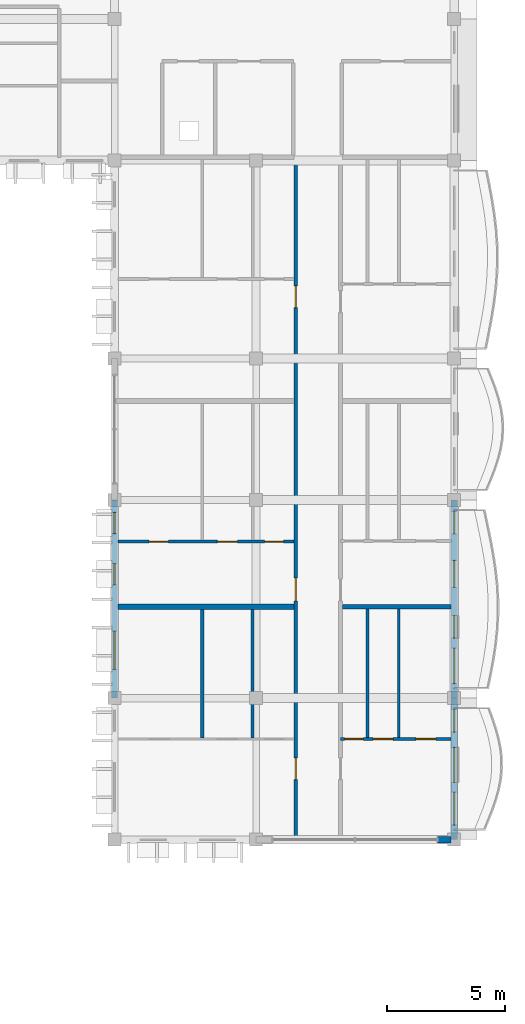
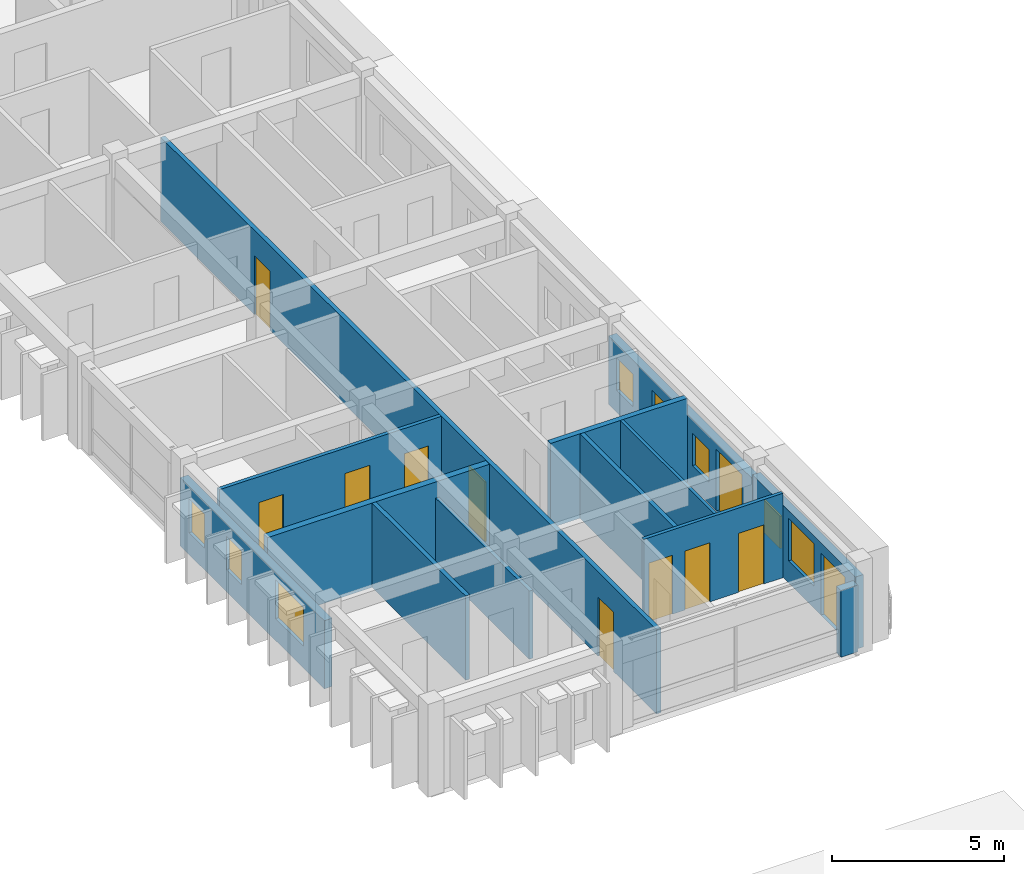
# One storey, part 33 of 54: 13 walls, 11 doors, 8 windows, 19 openings.
"""IFC4 building model written with IfcOpenShell, lengths in metres."""

from ifc_helpers import new_model, si_unit, direction, frame, frame_2d, origin, place, context, subcontext, project, spatial, rectangle, extrude, material, layer, layer_set, type_object, element, fill, save


model = new_model("IFC4")

# Units and contexts
model_context = context("Model", 3, precision=1e-05, world=origin(), true_north=direction((0.0, 1.0)))
body_context = subcontext(model_context, "Body", "Model", "MODEL_VIEW")
ifc_project = project(units=[si_unit("LENGTHUNIT", "METRE"), si_unit("AREAUNIT", "SQUARE_METRE"), si_unit("VOLUMEUNIT", "CUBIC_METRE"), si_unit("PLANEANGLEUNIT", "RADIAN"), si_unit("MASSUNIT", "GRAM", prefix="KILO"), si_unit("THERMODYNAMICTEMPERATUREUNIT", "KELVIN")], contexts=[model_context])

# Site, building, storey
site_placement = place(None, origin())
site = spatial("IfcSite", under=ifc_project, at=site_placement, CompositionType="ELEMENT")
building_placement = place(site_placement, origin())
building = spatial("IfcBuilding", under=site, at=building_placement, Name="Thalorik Housing Commons", CompositionType="ELEMENT")
storey_placement = place(building_placement, frame((0.0, 0.0, 31.199951171875)))
storey = spatial("IfcBuildingStorey", under=building, at=storey_placement, Name="L09", CompositionType="ELEMENT", Elevation=31.199951171875)

# Wall, openings, doors
ifc_material_1 = material(Name="Masonry fire-rated corridor wall", Category="masonry")
ifc_layer_1 = layer(ifc_material_1, 0.14990234375, Name="Masonry fire-rated corridor wall", Category="masonry")
ifc_layer_set_1 = layer_set([ifc_layer_1], Name="Masonry fire-rated corridor wall")
wall_type_1 = type_object("IfcWallType", Name="ARC-WAL-CORR-150", PredefinedType="PARTITIONING", material=ifc_layer_set_1)
wall_1_placement = place(storey_placement, frame((160.080078125, 80.4599609375, 0.0), z_axis=(0.0, 0.0, 1.0), x_axis=(0.0, 1.0, 0.0)))
wall_1 = element("IfcWall", 1, at=wall_1_placement, inside=storey, type_object=wall_type_1, Name="L09 Block B E Corridor Wall 1", PredefinedType="PARTITIONING", context=body_context, shape_type="SweptSolid", body=[
    extrude(rectangle(XDim=28.880126953125, YDim=0.14990234375, at=frame_2d((14.43994140625, 0.0))), origin(), (0.0, 0.0, 1.0), 3.0),
])
opening_1_placement = place(wall_1_placement, frame((2.484375, 0.0, 0.0)))
opening_1 = element("IfcOpeningElement", 2, at=opening_1_placement, cuts=wall_1, Name="Opening ID-1424", PredefinedType="OPENING", context=body_context, shape_type="SweptSolid", body=[
    extrude(rectangle(XDim=0.919921875, YDim=2.10009765625, at=frame_2d((0.4599609375, 1.050048828125))), frame((0.0, 0.0849609375, 0.0), z_axis=(0.0, -1.0, 0.0), x_axis=(1.0, 0.0, 0.0)), (0.0, 0.0, 1.0), 0.169921875),
])
opening_2_placement = place(wall_1_placement, frame((10.070068359375, 0.0, 0.0)))
opening_2 = element("IfcOpeningElement", 3, at=opening_2_placement, cuts=wall_1, Name="Opening ID-1425", PredefinedType="OPENING", context=body_context, shape_type="SweptSolid", body=[
    extrude(rectangle(XDim=0.9599609375, YDim=2.1201171875, at=frame_2d((0.47998046875, 1.06005859375))), frame((0.0, 0.0849609375, 0.0), z_axis=(0.0, -1.0, 0.0), x_axis=(1.0, 0.0, 0.0)), (0.0, 0.0, 1.0), 0.169921875),
])
opening_3_placement = place(wall_1_placement, frame((22.5, 0.0, 0.0)))
opening_3 = element("IfcOpeningElement", 4, at=opening_3_placement, cuts=wall_1, Name="Opening ID-1426", PredefinedType="OPENING", context=body_context, shape_type="SweptSolid", body=[
    extrude(rectangle(XDim=0.919921875, YDim=2.10009765625, at=frame_2d((0.4599609375, 1.050048828125))), frame((0.0, 0.0849609375, 0.0), z_axis=(0.0, -1.0, 0.0), x_axis=(1.0, 0.0, 0.0)), (0.0, 0.0, 1.0), 0.169921875),
])
ifc_material_2 = material(Name="Solid core hardwood timber", Category="wood")
door_type_1 = type_object("IfcDoorType", Name="ARC-DR-FD30-920", OperationType="NOTDEFINED", PredefinedType="DOOR", material=ifc_material_2)
door_1_placement = place(opening_1_placement, origin())
door_1 = element("IfcDoor", 5, at=door_1_placement, inside=storey, type_object=door_type_1, Name="L09 Flat BE-1A Entrance Door", OperationType="SINGLE_SWING_LEFT", OverallHeight=2.10009765625, OverallWidth=0.919921875, PredefinedType="DOOR", context=body_context, shape_type="SweptSolid", body=[
    extrude(rectangle(XDim=0.919921875, YDim=2.10009765625, at=frame_2d((0.4599609375, 1.050048828125))), frame((0.0, 0.02490234375, 0.0), z_axis=(0.0, -1.0, 0.0), x_axis=(1.0, 0.0, 0.0)), (0.0, 0.0, 1.0), 0.050048828125),
])
fill(opening_1, door_1)
door_2_placement = place(opening_3_placement, origin())
door_2 = element("IfcDoor", 6, at=door_2_placement, inside=storey, type_object=door_type_1, Name="L09 Flat BE-3A Entrance Door", OperationType="SINGLE_SWING_LEFT", OverallHeight=2.10009765625, OverallWidth=0.919921875, PredefinedType="DOOR", context=body_context, shape_type="SweptSolid", body=[
    extrude(rectangle(XDim=0.919921875, YDim=2.10009765625, at=frame_2d((0.4599609375, 1.050048828125))), frame((0.0, 0.02490234375, 0.0), z_axis=(0.0, -1.0, 0.0), x_axis=(1.0, 0.0, 0.0)), (0.0, 0.0, 1.0), 0.050048828125),
])
fill(opening_3, door_2)
door_type_2 = type_object("IfcDoorType", Name="ARC-DR-FD30-960", OperationType="NOTDEFINED", PredefinedType="DOOR", material=ifc_material_2)
door_3_placement = place(opening_2_placement, origin())
door_3 = element("IfcDoor", 7, at=door_3_placement, inside=storey, type_object=door_type_2, Name="L09 Flat BE-2A Entrance Door", OperationType="SINGLE_SWING_RIGHT", OverallHeight=2.1201171875, OverallWidth=0.9599609375, PredefinedType="DOOR", context=body_context, shape_type="SweptSolid", body=[
    extrude(rectangle(XDim=0.9599609375, YDim=2.1201171875, at=frame_2d((0.47998046875, 1.06005859375))), frame((0.0, 0.02490234375, 0.0), z_axis=(0.0, -1.0, 0.0), x_axis=(1.0, 0.0, 0.0)), (0.0, 0.0, 1.0), 0.050048828125),
])
fill(opening_2, door_3)

# Wall, openings, windows
ifc_material_3 = material(Name="White precast concrete C40/50", Category="concrete")
ifc_layer_2 = layer(ifc_material_3, 0.264892578125, Name="White precast concrete C40/50", Category="concrete")
ifc_layer_set_2 = layer_set([ifc_layer_2], Name="White precast concrete C40/50")
wall_type_2 = type_object("IfcWallType", Name="ARC-WAL-EXT-265", PredefinedType="STANDARD", material=ifc_layer_set_2)
wall_2_placement = place(storey_placement, frame((152.39990234375, 94.800048828125, 0.0), z_axis=(0.0, 0.0, 1.0), x_axis=(0.0, -1.0, 0.0)))
wall_2 = element("IfcWall", 8, at=wall_2_placement, inside=storey, type_object=wall_type_2, Name="L09 Exterior Wall WAL-EXT-L09-B-0735", PredefinedType="STANDARD", context=body_context, shape_type="SweptSolid", body=[
    extrude(rectangle(XDim=8.400146484375, YDim=0.264892578125, at=frame_2d((4.2001953125, 0.0))), origin(), (0.0, 0.0, 1.0), 2.425048828125),
])
opening_4_placement = place(wall_2_placement, frame((0.52490234375, 0.0, 0.780029296875)))
opening_4 = element("IfcOpeningElement", 9, at=opening_4_placement, cuts=wall_2, Name="Opening W-01", PredefinedType="OPENING", context=body_context, shape_type="SweptSolid", body=[
    extrude(rectangle(XDim=0.89990234375, YDim=1.199951171875, at=frame_2d((0.449951171875, 0.60009765625))), frame((0.0, 0.142578125, 0.0), z_axis=(0.0, -1.0, 0.0), x_axis=(1.0, 0.0, 0.0)), (0.0, 0.0, 1.0), 0.284912109375),
])
opening_5_placement = place(wall_2_placement, frame((2.68994140625, 0.0, 0.780029296875)))
opening_5 = element("IfcOpeningElement", 10, at=opening_5_placement, cuts=wall_2, Name="Opening W-01", PredefinedType="OPENING", context=body_context, shape_type="SweptSolid", body=[
    extrude(rectangle(XDim=0.89990234375, YDim=1.199951171875, at=frame_2d((0.449951171875, 0.60009765625))), frame((0.0, 0.142578125, 0.0), z_axis=(0.0, -1.0, 0.0), x_axis=(1.0, 0.0, 0.0)), (0.0, 0.0, 1.0), 0.284912109375),
])
opening_6_placement = place(wall_2_placement, frame((5.554931640625, 0.0, 0.780029296875)))
opening_6 = element("IfcOpeningElement", 11, at=opening_6_placement, cuts=wall_2, Name="Opening W-54", PredefinedType="OPENING", context=body_context, shape_type="SweptSolid", body=[
    extrude(rectangle(XDim=1.6201171875, YDim=1.3798828125, at=frame_2d((0.81005859375, 0.68994140625))), frame((0.0, 0.142578125, 0.0), z_axis=(0.0, -1.0, 0.0), x_axis=(1.0, 0.0, 0.0)), (0.0, 0.0, 1.0), 0.284912109375),
])
ifc_material_4 = material(Name="Anodised aluminium and solar-control low-E glass", Category="aluminium")
window_type_1 = type_object("IfcWindowType", Name="ARC-WIN-01", PartitioningType="SINGLE_PANEL", PredefinedType="WINDOW", material=ifc_material_4)
window_1_placement = place(opening_4_placement, origin())
window_1 = element("IfcWindow", 12, at=window_1_placement, inside=storey, type_object=window_type_1, Name="L09 Facade Window 1349", OverallHeight=1.199951171875, OverallWidth=0.89990234375, PartitioningType="SINGLE_PANEL", PredefinedType="WINDOW", context=body_context, shape_type="SweptSolid", body=[
    extrude(rectangle(XDim=0.89990234375, YDim=1.199951171875, at=frame_2d((0.449951171875, 0.60009765625))), frame((0.0, 0.030029296875, 0.0), z_axis=(0.0, -1.0, 0.0), x_axis=(1.0, 0.0, 0.0)), (0.0, 0.0, 1.0), 0.06005859375),
])
fill(opening_4, window_1)
window_2_placement = place(opening_5_placement, origin())
window_2 = element("IfcWindow", 13, at=window_2_placement, inside=storey, type_object=window_type_1, Name="L09 Facade Window 1350", OverallHeight=1.199951171875, OverallWidth=0.89990234375, PartitioningType="SINGLE_PANEL", PredefinedType="WINDOW", context=body_context, shape_type="SweptSolid", body=[
    extrude(rectangle(XDim=0.89990234375, YDim=1.199951171875, at=frame_2d((0.449951171875, 0.60009765625))), frame((0.0, 0.030029296875, 0.0), z_axis=(0.0, -1.0, 0.0), x_axis=(1.0, 0.0, 0.0)), (0.0, 0.0, 1.0), 0.06005859375),
])
fill(opening_5, window_2)
window_type_2 = type_object("IfcWindowType", Name="ARC-WIN-54", PartitioningType="DOUBLE_PANEL_VERTICAL", PredefinedType="WINDOW", material=ifc_material_4)
window_3_placement = place(opening_6_placement, origin())
window_3 = element("IfcWindow", 14, at=window_3_placement, inside=storey, type_object=window_type_2, Name="L09 Facade Window 1351", OverallHeight=1.3798828125, OverallWidth=1.6201171875, PartitioningType="DOUBLE_PANEL_VERTICAL", PredefinedType="WINDOW", context=body_context, shape_type="SweptSolid", body=[
    extrude(rectangle(XDim=1.6201171875, YDim=1.3798828125, at=frame_2d((0.81005859375, 0.68994140625))), frame((0.0, 0.030029296875, 0.0), z_axis=(0.0, -1.0, 0.0), x_axis=(1.0, 0.0, 0.0)), (0.0, 0.0, 1.0), 0.06005859375),
])
fill(opening_6, window_3)

# Wall
wall_3_placement = place(storey_placement, frame((166.10009765625, 80.39990234375, 0.0), z_axis=(0.0, 0.0, 1.0), x_axis=(1.0, 0.0, 0.0)))
element("IfcWall", 15, at=wall_3_placement, inside=storey, type_object=wall_type_2, Name="L09 Exterior Wall WAL-PIERR-L09-B-0738", PredefinedType="STANDARD", context=body_context, shape_type="SweptSolid", body=[
    extrude(rectangle(XDim=0.5654296875, YDim=0.264892578125, at=frame_2d((0.28271484375, 0.0))), origin(), (0.0, 0.0, 1.0), 2.375),
])

# Wall, openings, door, windows
wall_4_placement = place(storey_placement, frame((166.800048828125, 80.39990234375, 0.0), z_axis=(0.0, 0.0, 1.0), x_axis=(0.0, 1.0, 0.0)))
wall_4 = element("IfcWall", 16, at=wall_4_placement, inside=storey, type_object=wall_type_2, Name="L09 Exterior Wall WAL-EXT-L09-B-0739", PredefinedType="STANDARD", context=body_context, shape_type="SweptSolid", body=[
    extrude(rectangle(XDim=6.0, YDim=0.264892578125, at=frame_2d((3.0, 0.0))), origin(), (0.0, 0.0, 1.0), 2.574951171875),
])
opening_7_placement = place(wall_4_placement, frame((0.6201171875, 0.0, 0.0)))
opening_7 = element("IfcOpeningElement", 17, at=opening_7_placement, cuts=wall_4, Name="Opening ED-0246", PredefinedType="OPENING", context=body_context, shape_type="SweptSolid", body=[
    extrude(rectangle(XDim=1.39990234375, YDim=2.199951171875, at=frame_2d((0.699951171875, 1.10009765625))), frame((0.0, 0.142578125, 0.0), z_axis=(0.0, -1.0, 0.0), x_axis=(1.0, 0.0, 0.0)), (0.0, 0.0, 1.0), 0.284912109375),
])
opening_8_placement = place(wall_4_placement, frame((2.431884765625, 0.0, 0.780029296875)))
opening_8 = element("IfcOpeningElement", 18, at=opening_8_placement, cuts=wall_4, Name="Opening W-51", PredefinedType="OPENING", context=body_context, shape_type="SweptSolid", body=[
    extrude(rectangle(XDim=1.47998046875, YDim=1.52001953125, at=frame_2d((0.739990234375, 0.760009765625))), frame((0.0, 0.142578125, 0.0), z_axis=(0.0, -1.0, 0.0), x_axis=(1.0, 0.0, 0.0)), (0.0, 0.0, 1.0), 0.284912109375),
])
opening_9_placement = place(wall_4_placement, frame((4.56689453125, 0.0, 0.780029296875)))
opening_9 = element("IfcOpeningElement", 19, at=opening_9_placement, cuts=wall_4, Name="Opening W-43", PredefinedType="OPENING", context=body_context, shape_type="SweptSolid", body=[
    extrude(rectangle(XDim=0.949951171875, YDim=1.14990234375, at=frame_2d((0.47509765625, 0.574951171875))), frame((0.0, 0.142578125, 0.0), z_axis=(0.0, -1.0, 0.0), x_axis=(1.0, 0.0, 0.0)), (0.0, 0.0, 1.0), 0.284912109375),
])
ifc_material_5 = material(Name="Anodised aluminium and laminated safety glass", Category="aluminium")
door_type_3 = type_object("IfcDoorType", Name="ARC-DR-BAL-1400", OperationType="NOTDEFINED", PredefinedType="DOOR", material=ifc_material_5)
door_4_placement = place(opening_7_placement, frame((1.39990234375, 0.0, 0.0), z_axis=(0.0, 0.0, 1.0), x_axis=(-1.0, 0.0, 0.0)))
door_4 = element("IfcDoor", 20, at=door_4_placement, inside=storey, type_object=door_type_3, Name="L09 Block B Balcony Glazed Door", OperationType="SLIDING_TO_LEFT", OverallHeight=2.199951171875, OverallWidth=1.39990234375, PredefinedType="DOOR", context=body_context, shape_type="SweptSolid", body=[
    extrude(rectangle(XDim=1.39990234375, YDim=2.199951171875, at=frame_2d((0.699951171875, 1.10009765625))), frame((0.0, 0.02490234375, 0.0), z_axis=(0.0, -1.0, 0.0), x_axis=(1.0, 0.0, 0.0)), (0.0, 0.0, 1.0), 0.050048828125),
])
fill(opening_7, door_4)
window_type_3 = type_object("IfcWindowType", Name="ARC-WIN-43", PartitioningType="SINGLE_PANEL", PredefinedType="WINDOW", material=ifc_material_4)
window_4_placement = place(opening_9_placement, origin())
window_4 = element("IfcWindow", 21, at=window_4_placement, inside=storey, type_object=window_type_3, Name="L09 Facade Window 1357", OverallHeight=1.14990234375, OverallWidth=0.949951171875, PartitioningType="SINGLE_PANEL", PredefinedType="WINDOW", context=body_context, shape_type="SweptSolid", body=[
    extrude(rectangle(XDim=0.949951171875, YDim=1.14990234375, at=frame_2d((0.47509765625, 0.574951171875))), frame((0.0, 0.030029296875, 0.0), z_axis=(0.0, -1.0, 0.0), x_axis=(1.0, 0.0, 0.0)), (0.0, 0.0, 1.0), 0.06005859375),
])
fill(opening_9, window_4)
window_type_4 = type_object("IfcWindowType", Name="ARC-WIN-51", PartitioningType="SINGLE_PANEL", PredefinedType="WINDOW", material=ifc_material_4)
window_5_placement = place(opening_8_placement, origin())
window_5 = element("IfcWindow", 22, at=window_5_placement, inside=storey, type_object=window_type_4, Name="L09 Facade Window 1356", OverallHeight=1.52001953125, OverallWidth=1.47998046875, PartitioningType="SINGLE_PANEL", PredefinedType="WINDOW", context=body_context, shape_type="SweptSolid", body=[
    extrude(rectangle(XDim=1.47998046875, YDim=1.52001953125, at=frame_2d((0.739990234375, 0.760009765625))), frame((0.0, 0.030029296875, 0.0), z_axis=(0.0, -1.0, 0.0), x_axis=(1.0, 0.0, 0.0)), (0.0, 0.0, 1.0), 0.06005859375),
])
fill(opening_8, window_5)

wall_5_placement = place(storey_placement, frame((166.800048828125, 86.39990234375, 0.0), z_axis=(0.0, 0.0, 1.0), x_axis=(0.0, 1.0, 0.0)))
wall_5 = element("IfcWall", 23, at=wall_5_placement, inside=storey, type_object=wall_type_2, Name="L09 Exterior Wall WAL-EXT-L09-B-0740", PredefinedType="STANDARD", context=body_context, shape_type="SweptSolid", body=[
    extrude(rectangle(XDim=8.400146484375, YDim=0.264892578125, at=frame_2d((4.2001953125, 0.0))), origin(), (0.0, 0.0, 1.0), 2.425048828125),
])
opening_10_placement = place(wall_5_placement, frame((0.6201171875, 0.0, 0.0)))
opening_10 = element("IfcOpeningElement", 24, at=opening_10_placement, cuts=wall_5, Name="Opening ED-0247", PredefinedType="OPENING", context=body_context, shape_type="SweptSolid", body=[
    extrude(rectangle(XDim=1.5, YDim=2.199951171875, at=frame_2d((0.75, 1.10009765625))), frame((0.0, 0.142578125, 0.0), z_axis=(0.0, -1.0, 0.0), x_axis=(1.0, 0.0, 0.0)), (0.0, 0.0, 1.0), 0.284912109375),
])
opening_11_placement = place(wall_5_placement, frame((2.550048828125, 0.0, 0.780029296875)))
opening_11 = element("IfcOpeningElement", 25, at=opening_11_placement, cuts=wall_5, Name="Opening W-43", PredefinedType="OPENING", context=body_context, shape_type="SweptSolid", body=[
    extrude(rectangle(XDim=0.949951171875, YDim=1.14990234375, at=frame_2d((0.47509765625, 0.574951171875))), frame((0.0, 0.142578125, 0.0), z_axis=(0.0, -1.0, 0.0), x_axis=(1.0, 0.0, 0.0)), (0.0, 0.0, 1.0), 0.284912109375),
])
opening_12_placement = place(wall_5_placement, frame((4.69775390625, 0.0, 0.780029296875)))
opening_12 = element("IfcOpeningElement", 26, at=opening_12_placement, cuts=wall_5, Name="Opening W-45", PredefinedType="OPENING", context=body_context, shape_type="SweptSolid", body=[
    extrude(rectangle(XDim=1.14990234375, YDim=1.25, at=frame_2d((0.574951171875, 0.625))), frame((0.0, 0.142578125, 0.0), z_axis=(0.0, -1.0, 0.0), x_axis=(1.0, 0.0, 0.0)), (0.0, 0.0, 1.0), 0.284912109375),
])
opening_13_placement = place(wall_5_placement, frame((6.962890625, 0.0, 0.780029296875)))
opening_13 = element("IfcOpeningElement", 27, at=opening_13_placement, cuts=wall_5, Name="Opening W-43", PredefinedType="OPENING", context=body_context, shape_type="SweptSolid", body=[
    extrude(rectangle(XDim=0.949951171875, YDim=1.14990234375, at=frame_2d((0.47509765625, 0.574951171875))), frame((0.0, 0.142578125, 0.0), z_axis=(0.0, -1.0, 0.0), x_axis=(1.0, 0.0, 0.0)), (0.0, 0.0, 1.0), 0.284912109375),
])
door_type_4 = type_object("IfcDoorType", Name="ARC-DR-BAL-1500", OperationType="NOTDEFINED", PredefinedType="DOOR", material=ifc_material_5)
door_5_placement = place(opening_10_placement, frame((1.5, 0.0, 0.0), z_axis=(0.0, 0.0, 1.0), x_axis=(-1.0, 0.0, 0.0)))
door_5 = element("IfcDoor", 28, at=door_5_placement, inside=storey, type_object=door_type_4, Name="L09 Block B Balcony Glazed Door", OperationType="SLIDING_TO_RIGHT", OverallHeight=2.199951171875, OverallWidth=1.5, PredefinedType="DOOR", context=body_context, shape_type="SweptSolid", body=[
    extrude(rectangle(XDim=1.5, YDim=2.199951171875, at=frame_2d((0.75, 1.10009765625))), frame((0.0, 0.02490234375, 0.0), z_axis=(0.0, -1.0, 0.0), x_axis=(1.0, 0.0, 0.0)), (0.0, 0.0, 1.0), 0.050048828125),
])
fill(opening_10, door_5)
window_6_placement = place(opening_11_placement, origin())
window_6 = element("IfcWindow", 29, at=window_6_placement, inside=storey, type_object=window_type_3, Name="L09 Facade Window 1358", OverallHeight=1.14990234375, OverallWidth=0.949951171875, PartitioningType="SINGLE_PANEL", PredefinedType="WINDOW", context=body_context, shape_type="SweptSolid", body=[
    extrude(rectangle(XDim=0.949951171875, YDim=1.14990234375, at=frame_2d((0.47509765625, 0.574951171875))), frame((0.0, 0.030029296875, 0.0), z_axis=(0.0, -1.0, 0.0), x_axis=(1.0, 0.0, 0.0)), (0.0, 0.0, 1.0), 0.06005859375),
])
fill(opening_11, window_6)
window_7_placement = place(opening_13_placement, origin())
window_7 = element("IfcWindow", 30, at=window_7_placement, inside=storey, type_object=window_type_3, Name="L09 Facade Window 1360", OverallHeight=1.14990234375, OverallWidth=0.949951171875, PartitioningType="SINGLE_PANEL", PredefinedType="WINDOW", context=body_context, shape_type="SweptSolid", body=[
    extrude(rectangle(XDim=0.949951171875, YDim=1.14990234375, at=frame_2d((0.47509765625, 0.574951171875))), frame((0.0, 0.030029296875, 0.0), z_axis=(0.0, -1.0, 0.0), x_axis=(1.0, 0.0, 0.0)), (0.0, 0.0, 1.0), 0.06005859375),
])
fill(opening_13, window_7)
window_type_5 = type_object("IfcWindowType", Name="ARC-WIN-45", PartitioningType="SINGLE_PANEL", PredefinedType="WINDOW", material=ifc_material_4)
window_8_placement = place(opening_12_placement, origin())
window_8 = element("IfcWindow", 31, at=window_8_placement, inside=storey, type_object=window_type_5, Name="L09 Facade Window 1359", OverallHeight=1.25, OverallWidth=1.14990234375, PartitioningType="SINGLE_PANEL", PredefinedType="WINDOW", context=body_context, shape_type="SweptSolid", body=[
    extrude(rectangle(XDim=1.14990234375, YDim=1.25, at=frame_2d((0.574951171875, 0.625))), frame((0.0, 0.030029296875, 0.0), z_axis=(0.0, -1.0, 0.0), x_axis=(1.0, 0.0, 0.0)), (0.0, 0.0, 1.0), 0.06005859375),
])
fill(opening_12, window_8)

# Wall
ifc_material_6 = material(Name="Gypsum light stud partition", Category="masonry")
ifc_layer_3 = layer(ifc_material_6, 0.10009765625, Name="Gypsum light stud partition", Category="masonry")
ifc_layer_set_3 = layer_set([ifc_layer_3], Name="Gypsum light stud partition")
wall_type_3 = type_object("IfcWallType", Name="ARC-WAL-PART-100", PredefinedType="PARTITIONING", material=ifc_layer_set_3)
wall_6_placement = place(storey_placement, frame((164.455078125, 84.733154296875, 0.0), z_axis=(0.0, 0.0, 1.0), x_axis=(0.0, 1.0, 0.0)))
element("IfcWall", 32, at=wall_6_placement, inside=storey, type_object=wall_type_3, Name="L09 Unit 1B Bedroom Partition", PredefinedType="PARTITIONING", context=body_context, shape_type="SweptSolid", body=[
    extrude(rectangle(XDim=5.452392578125, YDim=0.10009765625, at=frame_2d((2.72607421875, 0.0))), origin(), (0.0, 0.0, 1.0), 3.0),
])

# Wall, openings, doors
ifc_material_7 = material(Name="Gypsum moisture-resistant partition", Category="masonry")
ifc_layer_4 = layer(ifc_material_7, 0.114990234375, Name="Gypsum moisture-resistant partition", Category="masonry")
ifc_layer_set_4 = layer_set([ifc_layer_4], Name="Gypsum moisture-resistant partition")
wall_type_4 = type_object("IfcWallType", Name="ARC-WAL-PART-115", PredefinedType="PARTITIONING", material=ifc_layer_set_4)
wall_7_placement = place(storey_placement, frame((161.97998046875, 84.673583984375, 0.0), z_axis=(0.0, 0.0, 1.0), x_axis=(1.0, 0.0, 0.0)))
wall_7 = element("IfcWall", 33, at=wall_7_placement, inside=storey, type_object=wall_type_4, Name="L09 Unit 1B Spine Partition", PredefinedType="PARTITIONING", context=body_context, shape_type="SweptSolid", body=[
    extrude(rectangle(XDim=4.685546875, YDim=0.114990234375, at=frame_2d((2.3427734375, 0.0))), origin(), (0.0, 0.0, 1.0), 3.0),
])
opening_14_placement = place(wall_7_placement, frame((0.171142578125, 0.0, 0.0)))
opening_14 = element("IfcOpeningElement", 34, at=opening_14_placement, cuts=wall_7, Name="Opening ID-1409", PredefinedType="OPENING", context=body_context, shape_type="SweptSolid", body=[
    extrude(rectangle(XDim=0.800048828125, YDim=2.10009765625, at=frame_2d((0.39990234375, 1.050048828125))), frame((0.0, 0.0673828125, 0.0), z_axis=(0.0, -1.0, 0.0), x_axis=(1.0, 0.0, 0.0)), (0.0, 0.0, 1.0), 0.135009765625),
])
opening_15_placement = place(wall_7_placement, frame((1.3837890625, 0.0, 0.0)))
opening_15 = element("IfcOpeningElement", 35, at=opening_15_placement, cuts=wall_7, Name="Opening ID-1410", PredefinedType="OPENING", context=body_context, shape_type="SweptSolid", body=[
    extrude(rectangle(XDim=0.85009765625, YDim=2.10009765625, at=frame_2d((0.425048828125, 1.050048828125))), frame((0.0, 0.0673828125, 0.0), z_axis=(0.0, -1.0, 0.0), x_axis=(1.0, 0.0, 0.0)), (0.0, 0.0, 1.0), 0.135009765625),
])
opening_16_placement = place(wall_7_placement, frame((3.192626953125, 0.0, 0.0)))
opening_16 = element("IfcOpeningElement", 36, at=opening_16_placement, cuts=wall_7, Name="Opening ID-1411", PredefinedType="OPENING", context=body_context, shape_type="SweptSolid", body=[
    extrude(rectangle(XDim=0.85009765625, YDim=2.10009765625, at=frame_2d((0.425048828125, 1.050048828125))), frame((0.0, 0.0673828125, 0.0), z_axis=(0.0, -1.0, 0.0), x_axis=(1.0, 0.0, 0.0)), (0.0, 0.0, 1.0), 0.135009765625),
])
ifc_material_8 = material(Name="Moisture-resistant timber", Category="wood")
door_type_5 = type_object("IfcDoorType", Name="ARC-DR-INT-800", OperationType="NOTDEFINED", PredefinedType="DOOR", material=ifc_material_8)
door_6_placement = place(opening_14_placement, origin())
door_6 = element("IfcDoor", 37, at=door_6_placement, inside=storey, type_object=door_type_5, Name="L09 Flat Bathroom Door", OperationType="SINGLE_SWING_RIGHT", OverallHeight=2.10009765625, OverallWidth=0.800048828125, PredefinedType="DOOR", context=body_context, shape_type="SweptSolid", body=[
    extrude(rectangle(XDim=0.800048828125, YDim=2.10009765625, at=frame_2d((0.39990234375, 1.050048828125))), frame((0.0, 0.02490234375, 0.0), z_axis=(0.0, -1.0, 0.0), x_axis=(1.0, 0.0, 0.0)), (0.0, 0.0, 1.0), 0.050048828125),
])
fill(opening_14, door_6)
ifc_material_9 = material(Name="Engineered oak timber", Category="wood")
door_type_6 = type_object("IfcDoorType", Name="ARC-DR-INT-850", OperationType="NOTDEFINED", PredefinedType="DOOR", material=ifc_material_9)
door_7_placement = place(opening_15_placement, origin())
door_7 = element("IfcDoor", 38, at=door_7_placement, inside=storey, type_object=door_type_6, Name="L09 Galley Kitchen Door", OperationType="SINGLE_SWING_LEFT", OverallHeight=2.10009765625, OverallWidth=0.85009765625, PredefinedType="DOOR", context=body_context, shape_type="SweptSolid", body=[
    extrude(rectangle(XDim=0.85009765625, YDim=2.10009765625, at=frame_2d((0.425048828125, 1.050048828125))), frame((0.0, 0.02490234375, 0.0), z_axis=(0.0, -1.0, 0.0), x_axis=(1.0, 0.0, 0.0)), (0.0, 0.0, 1.0), 0.050048828125),
])
fill(opening_15, door_7)
door_8_placement = place(opening_16_placement, origin())
door_8 = element("IfcDoor", 39, at=door_8_placement, inside=storey, type_object=door_type_6, Name="L09 Double Bedroom Door", OperationType="SINGLE_SWING_RIGHT", OverallHeight=2.10009765625, OverallWidth=0.85009765625, PredefinedType="DOOR", context=body_context, shape_type="SweptSolid", body=[
    extrude(rectangle(XDim=0.85009765625, YDim=2.10009765625, at=frame_2d((0.425048828125, 1.050048828125))), frame((0.0, 0.02490234375, 0.0), z_axis=(0.0, -1.0, 0.0), x_axis=(1.0, 0.0, 0.0)), (0.0, 0.0, 1.0), 0.050048828125),
])
fill(opening_16, door_8)

# Wall
ifc_material_10 = material(Name="Gypsum acoustic stud partition", Category="masonry")
ifc_layer_5 = layer(ifc_material_10, 0.125, Name="Gypsum acoustic stud partition", Category="masonry")
ifc_layer_set_5 = layer_set([ifc_layer_5], Name="Gypsum acoustic stud partition")
wall_type_5 = type_object("IfcWallType", Name="ARC-WAL-PART-125", PredefinedType="PARTITIONING", material=ifc_layer_set_5)
wall_8_placement = place(storey_placement, frame((158.251220703125, 84.721923828125, 0.0), z_axis=(0.0, 0.0, 1.0), x_axis=(0.0, 1.0, 0.0)))
element("IfcWall", 40, at=wall_8_placement, inside=storey, type_object=wall_type_5, Name="L09 Unit 1 Wet Wall", PredefinedType="PARTITIONING", context=body_context, shape_type="SweptSolid", body=[
    extrude(rectangle(XDim=5.446044921875, YDim=0.125, at=frame_2d((2.72314453125, 0.0))), origin(), (0.0, 0.0, 1.0), 2.425048828125),
])

# Wall, openings, doors
wall_9_placement = place(storey_placement, frame((152.534423828125, 93.0400390625, 0.0), z_axis=(0.0, 0.0, 1.0), x_axis=(1.0, 0.0, 0.0)))
wall_9 = element("IfcWall", 41, at=wall_9_placement, inside=storey, type_object=wall_type_5, Name="L09 Unit 2 Spine Partition", PredefinedType="PARTITIONING", context=body_context, shape_type="SweptSolid", body=[
    extrude(rectangle(XDim=7.468505859375, YDim=0.125, at=frame_2d((3.734375, 0.0))), origin(), (0.0, 0.0, 1.0), 3.0),
])
opening_17_placement = place(wall_9_placement, frame((1.329345703125, 0.0, 0.0)))
opening_17 = element("IfcOpeningElement", 42, at=opening_17_placement, cuts=wall_9, Name="Opening ID-1412", PredefinedType="OPENING", context=body_context, shape_type="SweptSolid", body=[
    extrude(rectangle(XDim=0.820068359375, YDim=2.080078125, at=frame_2d((0.41015625, 1.0400390625))), frame((0.0, 0.072509765625, 0.0), z_axis=(0.0, -1.0, 0.0), x_axis=(1.0, 0.0, 0.0)), (0.0, 0.0, 1.0), 0.14501953125),
])
opening_18_placement = place(wall_9_placement, frame((4.224853515625, 0.0, 0.0)))
opening_18 = element("IfcOpeningElement", 43, at=opening_18_placement, cuts=wall_9, Name="Opening ID-1413", PredefinedType="OPENING", context=body_context, shape_type="SweptSolid", body=[
    extrude(rectangle(XDim=0.85009765625, YDim=2.10009765625, at=frame_2d((0.425048828125, 1.050048828125))), frame((0.0, 0.072509765625, 0.0), z_axis=(0.0, -1.0, 0.0), x_axis=(1.0, 0.0, 0.0)), (0.0, 0.0, 1.0), 0.14501953125),
])
opening_19_placement = place(wall_9_placement, frame((6.231201171875, 0.0, 0.0)))
opening_19 = element("IfcOpeningElement", 44, at=opening_19_placement, cuts=wall_9, Name="Opening ID-1414", PredefinedType="OPENING", context=body_context, shape_type="SweptSolid", body=[
    extrude(rectangle(XDim=0.800048828125, YDim=2.10009765625, at=frame_2d((0.39990234375, 1.050048828125))), frame((0.0, 0.072509765625, 0.0), z_axis=(0.0, -1.0, 0.0), x_axis=(1.0, 0.0, 0.0)), (0.0, 0.0, 1.0), 0.14501953125),
])
door_9_placement = place(opening_19_placement, origin())
door_9 = element("IfcDoor", 45, at=door_9_placement, inside=storey, type_object=door_type_5, Name="L09 Accessible Bathroom Door", OperationType="SINGLE_SWING_LEFT", OverallHeight=2.10009765625, OverallWidth=0.800048828125, PredefinedType="DOOR", context=body_context, shape_type="SweptSolid", body=[
    extrude(rectangle(XDim=0.800048828125, YDim=2.10009765625, at=frame_2d((0.39990234375, 1.050048828125))), frame((0.0, 0.02490234375, 0.0), z_axis=(0.0, -1.0, 0.0), x_axis=(1.0, 0.0, 0.0)), (0.0, 0.0, 1.0), 0.050048828125),
])
fill(opening_19, door_9)
door_type_7 = type_object("IfcDoorType", Name="ARC-DR-INT-820", OperationType="NOTDEFINED", PredefinedType="DOOR", material=ifc_material_9)
door_10_placement = place(opening_17_placement, origin())
door_10 = element("IfcDoor", 46, at=door_10_placement, inside=storey, type_object=door_type_7, Name="L09 Master Bedroom Door", OperationType="SINGLE_SWING_LEFT", OverallHeight=2.080078125, OverallWidth=0.820068359375, PredefinedType="DOOR", context=body_context, shape_type="SweptSolid", body=[
    extrude(rectangle(XDim=0.820068359375, YDim=2.080078125, at=frame_2d((0.41015625, 1.0400390625))), frame((0.0, 0.02490234375, 0.0), z_axis=(0.0, -1.0, 0.0), x_axis=(1.0, 0.0, 0.0)), (0.0, 0.0, 1.0), 0.050048828125),
])
fill(opening_17, door_10)
door_11_placement = place(opening_18_placement, origin())
door_11 = element("IfcDoor", 47, at=door_11_placement, inside=storey, type_object=door_type_6, Name="L09 Eat-In Kitchen Door", OperationType="SINGLE_SWING_RIGHT", OverallHeight=2.10009765625, OverallWidth=0.85009765625, PredefinedType="DOOR", context=body_context, shape_type="SweptSolid", body=[
    extrude(rectangle(XDim=0.85009765625, YDim=2.10009765625, at=frame_2d((0.425048828125, 1.050048828125))), frame((0.0, 0.02490234375, 0.0), z_axis=(0.0, -1.0, 0.0), x_axis=(1.0, 0.0, 0.0)), (0.0, 0.0, 1.0), 0.050048828125),
])
fill(opening_18, door_11)

# Walls
ifc_material_11 = material(Name="Ceramic masonry partition wall", Category="masonry")
ifc_layer_6 = layer(ifc_material_11, 0.139892578125, Name="Ceramic masonry partition wall", Category="masonry")
ifc_layer_set_6 = layer_set([ifc_layer_6], Name="Ceramic masonry partition wall")
wall_type_6 = type_object("IfcWallType", Name="ARC-WAL-PART-140", PredefinedType="PARTITIONING", material=ifc_layer_set_6)
wall_10_placement = place(storey_placement, frame((156.11767578125, 84.721923828125, 0.0), z_axis=(0.0, 0.0, 1.0), x_axis=(0.0, 1.0, 0.0)))
element("IfcWall", 48, at=wall_10_placement, inside=storey, type_object=wall_type_6, Name="L09 Unit 1 Bedroom Partition", PredefinedType="PARTITIONING", context=body_context, shape_type="SweptSolid", body=[
    extrude(rectangle(XDim=5.446044921875, YDim=0.139892578125, at=frame_2d((2.72314453125, 0.0))), origin(), (0.0, 0.0, 1.0), 3.0),
])
wall_11_placement = place(storey_placement, frame((163.122314453125, 84.733154296875, 0.0), z_axis=(0.0, 0.0, 1.0), x_axis=(0.0, 1.0, 0.0)))
element("IfcWall", 49, at=wall_11_placement, inside=storey, type_object=wall_type_6, Name="L09 Unit 1B Wet Wall", PredefinedType="PARTITIONING", context=body_context, shape_type="SweptSolid", body=[
    extrude(rectangle(XDim=5.452392578125, YDim=0.139892578125, at=frame_2d((2.72607421875, 0.0))), origin(), (0.0, 0.0, 1.0), 3.0),
])
ifc_material_12 = material(Name="Masonry acoustic blockwork wall", Category="masonry")
ifc_layer_7 = layer(ifc_material_12, 0.18505859375, Name="Masonry acoustic blockwork wall", Category="masonry")
ifc_layer_set_7 = layer_set([ifc_layer_7], Name="Masonry acoustic blockwork wall")
wall_type_7 = type_object("IfcWallType", Name="ARC-WAL-PARTY-185", PredefinedType="PARTITIONING", material=ifc_layer_set_7)
wall_12_placement = place(storey_placement, frame((162.064453125, 90.280029296875, 0.0), z_axis=(0.0, 0.0, 1.0), x_axis=(1.0, 0.0, 0.0)))
element("IfcWall", 50, at=wall_12_placement, inside=storey, type_object=wall_type_7, Name="L09 Inter-Tenancy Wall 1B", PredefinedType="PARTITIONING", context=body_context, shape_type="SweptSolid", body=[
    extrude(rectangle(XDim=4.60107421875, YDim=0.18505859375, at=frame_2d((2.300537109375, 0.0))), origin(), (0.0, 0.0, 1.0), 3.0),
])
ifc_material_13 = material(Name="Precast concrete C40/50 acoustic wall", Category="concrete")
ifc_layer_8 = layer(ifc_material_13, 0.219970703125, Name="Precast concrete C40/50 acoustic wall", Category="concrete")
ifc_layer_set_8 = layer_set([ifc_layer_8], Name="Precast concrete C40/50 acoustic wall")
wall_type_8 = type_object("IfcWallType", Name="ARC-WAL-PARTY-220", PredefinedType="PARTITIONING", material=ifc_layer_set_8)
wall_13_placement = place(storey_placement, frame((152.534423828125, 90.280029296875, 0.0), z_axis=(0.0, 0.0, 1.0), x_axis=(1.0, 0.0, 0.0)))
element("IfcWall", 51, at=wall_13_placement, inside=storey, type_object=wall_type_8, Name="L09 Inter-Tenancy Wall 1A", PredefinedType="PARTITIONING", context=body_context, shape_type="SweptSolid", body=[
    extrude(rectangle(XDim=7.468505859375, YDim=0.219970703125, at=frame_2d((3.734375, 0.0))), origin(), (0.0, 0.0, 1.0), 3.0),
])

save(model, "model.ifc")
